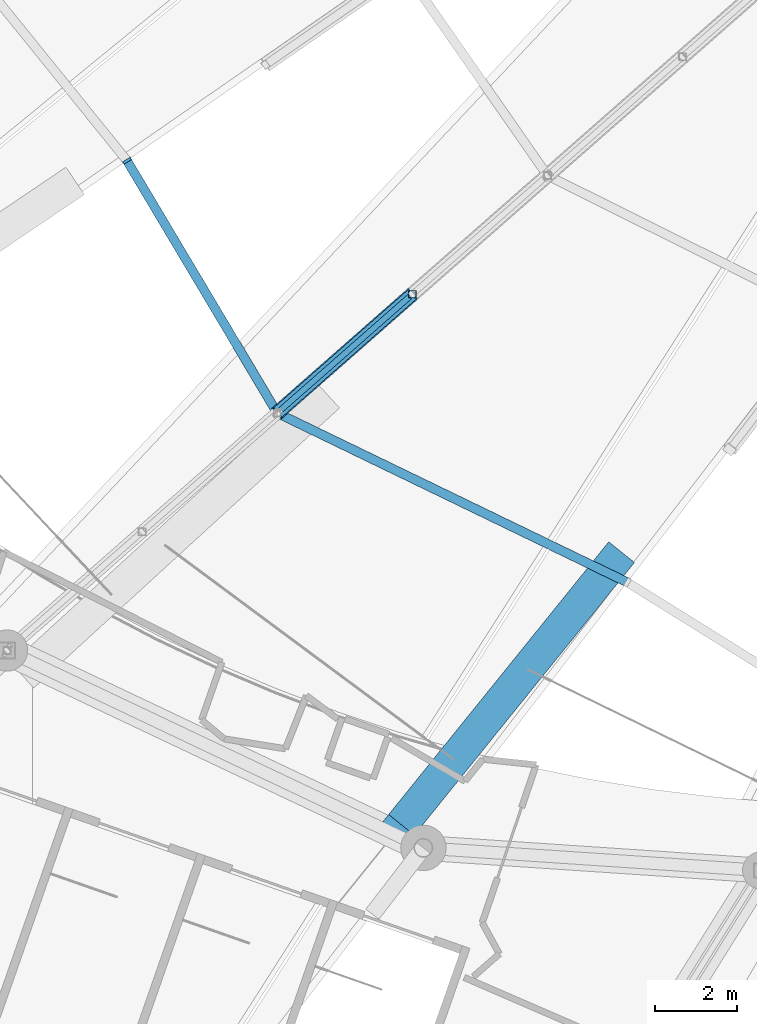
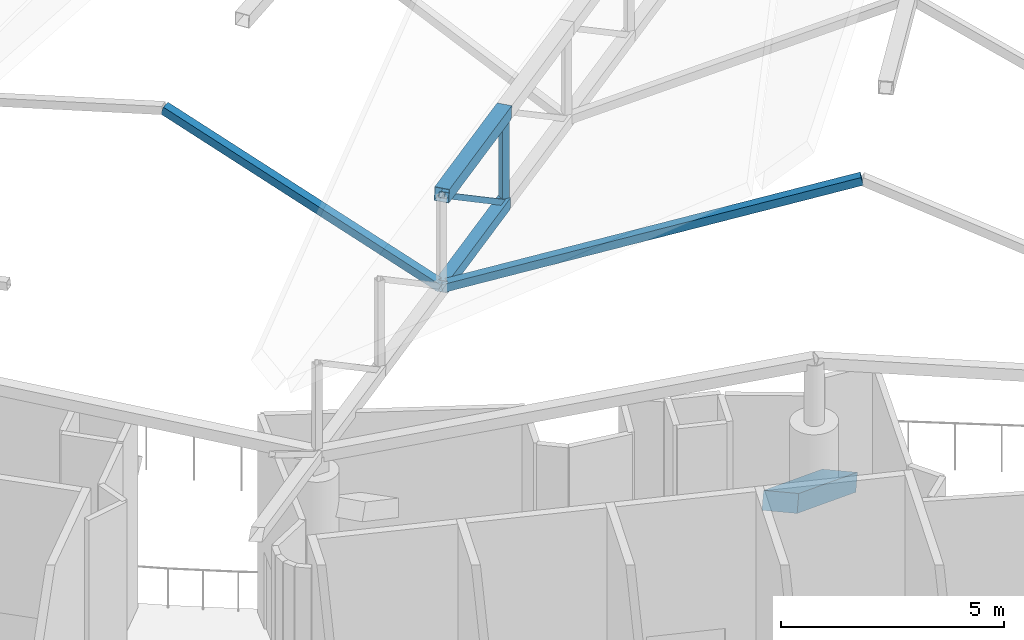
# One storey, part 10 of 344: 6 members, 1 beam.
"""IFC4 building model written with IfcOpenShell, lengths in metres."""

from ifc_helpers import new_model, si_unit, direction, frame, origin, origin_2d, place, context, subcontext, project, spatial, rectangle, hollow_rectangle, extrude, material, material_profile, profile_set, type_object, element, save


model = new_model("IFC4")

# Units and contexts
model_context = context("Model", 3, precision=1e-05, world=origin(), true_north=direction((0.0, 1.0)))
body_context = subcontext(model_context, "Body", "Model", "MODEL_VIEW")
ifc_project = project(units=[si_unit("LENGTHUNIT", "METRE"), si_unit("AREAUNIT", "SQUARE_METRE"), si_unit("VOLUMEUNIT", "CUBIC_METRE"), si_unit("PLANEANGLEUNIT", "RADIAN"), si_unit("MASSUNIT", "GRAM", prefix="KILO")], contexts=[model_context])

# Site, building, storey
site_placement = place(None, origin())
site = spatial("IfcSite", under=ifc_project, at=site_placement, CompositionType="ELEMENT")
building_placement = place(site_placement, origin())
building = spatial("IfcBuilding", under=site, at=building_placement, Name="Meseta Stadium", CompositionType="ELEMENT")
storey_placement = place(building_placement, frame((0.0, 0.0, 24.0)))
storey = spatial("IfcBuildingStorey", under=building, at=storey_placement, Name="L04", CompositionType="ELEMENT", Elevation=24.0)

# Beam
ifc_material_1 = material(Name="Concrete C40/50", Category="concrete")
ifc_material_profile_1 = material_profile(ifc_material_1, rectangle(XDim=0.800048828125, YDim=0.449951171875, at=origin_2d()), Name="RC 800x450")
ifc_profile_set_1 = profile_set([ifc_material_profile_1], Name="Concrete C40/50")
beam_type = type_object("IfcBeamType", Name="RC raker upper rear 800x450", PredefinedType="USERDEFINED", material=ifc_profile_set_1)
beam_placement = place(storey_placement, frame((-49.791015625, -82.498779296875, -1.587646484375), z_axis=(-0.533000219927, -0.660412282013, 0.528929469139), x_axis=(0.778177101926, -0.628044901292, 0.0)))
element("IfcBeam", 1, at=beam_placement, inside=storey, type_object=beam_type, Name="Raker upper rear frame 42 upper tier", ObjectType="RAKER", PredefinedType="USERDEFINED", context=body_context, shape_type="SweptSolid", body=[
    extrude(rectangle(XDim=0.800048828125, YDim=0.449951171875, at=origin_2d()), origin(), (0.0, 0.0, 1.0), 10.015625),
])

# Members
ifc_material_2 = material(Name="Steel S355", Category="steel")
ifc_material_profile_2 = material_profile(ifc_material_2, hollow_rectangle(XDim=0.139892578125, YDim=0.139892578125, WallThickness=0.0048828125, at=origin_2d()), Name="SHS 140x140x5")
ifc_profile_set_2 = profile_set([ifc_material_profile_2], Name="Steel S355")
member_type_1 = type_object("IfcMemberType", Name="SHS 140x140x5 diagonal", PredefinedType="BRACE", material=ifc_profile_set_2)
member_1_placement = place(storey_placement, frame((-54.791259765625, -76.15234375, 3.924072265625), z_axis=(-0.612481902981, -0.538328789261, 0.578850613866), x_axis=(0.660174887179, -0.751111921312, 0.0)))
element("IfcMember", 2, at=member_1_placement, inside=storey, type_object=member_type_1, Name="ROOF TRUSS RT-41 diagonal", PredefinedType="BRACE", context=body_context, shape_type="SweptSolid", body=[
    extrude(hollow_rectangle(XDim=0.139892578125, YDim=0.139892578125, WallThickness=0.0048828125, at=origin_2d()), origin(), (0.0, 0.0, 1.0), 5.35009765625),
])
ifc_material_3 = material(Name="Steel S355", Category="steel")
ifc_material_profile_3 = material_profile(ifc_material_3, hollow_rectangle(XDim=0.179931640625, YDim=0.179931640625, WallThickness=0.00634765625, at=origin_2d()), Name="SHS 180x180x6.3")
ifc_profile_set_3 = profile_set([ifc_material_profile_3], Name="Steel S355")
member_type_2 = type_object("IfcMemberType", Name="SHS 180x180x6.3 post", PredefinedType="POST", material=ifc_profile_set_3)
member_2_placement = place(storey_placement, frame((-54.791259765625, -76.15234375, 3.924072265625), z_axis=(0.0, 0.0, 1.0), x_axis=(1.0, 0.0, 0.0)))
element("IfcMember", 3, at=member_2_placement, inside=storey, type_object=member_type_2, Name="ROOF TRUSS RT-41 post", PredefinedType="POST", context=body_context, shape_type="SweptSolid", body=[
    extrude(hollow_rectangle(XDim=0.179931640625, YDim=0.179931640625, WallThickness=0.00634765625, at=origin_2d()), origin(), (0.0, 0.0, 1.0), 2.49365234375),
])
ifc_material_4 = material(Name="Steel S355", Category="steel")
ifc_material_profile_4 = material_profile(ifc_material_4, hollow_rectangle(XDim=0.219970703125, YDim=0.219970703125, WallThickness=0.008056640625, at=origin_2d()), Name="SHS 220x220x8")
ifc_profile_set_4 = profile_set([ifc_material_profile_4], Name="Steel S355")
member_type_3 = type_object("IfcMemberType", Name="SHS 220x220x8 strut", PredefinedType="STRUT", material=ifc_profile_set_4)
member_3_placement = place(storey_placement, frame((-61.710205078125, -72.913818359375, 6.962158203125), z_axis=(0.483975482906, -0.81307102511, -0.323547894558), x_axis=(0.859290731623, 0.511487476432, 0.0)))
element("IfcMember", 4, at=member_3_placement, inside=storey, type_object=member_type_3, Name="ROOF TRUSS STRUT RT-40/41", PredefinedType="STRUT", context=body_context, shape_type="SweptSolid", body=[
    extrude(hollow_rectangle(XDim=0.219970703125, YDim=0.219970703125, WallThickness=0.008056640625, at=origin_2d()), origin(), (0.0, 0.0, 1.0), 7.525390625),
])
member_4_placement = place(storey_placement, frame((-58.068115234375, -79.032470703125, 4.52734375), z_axis=(0.871165468885, -0.421362077289, 0.252041118958), x_axis=(0.435418912506, 0.900227954816, 0.0)))
element("IfcMember", 5, at=member_4_placement, inside=storey, type_object=member_type_3, Name="ROOF TRUSS STRUT RT-41/42", PredefinedType="STRUT", context=body_context, shape_type="SweptSolid", body=[
    extrude(hollow_rectangle(XDim=0.219970703125, YDim=0.219970703125, WallThickness=0.008056640625, at=origin_2d()), origin(), (0.0, 0.0, 1.0), 9.75146484375),
])
ifc_material_5 = material(Name="Steel S355", Category="steel")
ifc_material_profile_5 = material_profile(ifc_material_5, hollow_rectangle(XDim=0.300048828125, YDim=0.300048828125, WallThickness=0.010009765625, at=origin_2d()), Name="SHS 300x300x10")
ifc_profile_set_5 = profile_set([ifc_material_profile_5], Name="Steel S355")
member_type_4 = type_object("IfcMemberType", Name="SHS 300x300x10 bottom chord", PredefinedType="CHORD", material=ifc_profile_set_5)
member_5_placement = place(storey_placement, frame((-54.791259765625, -76.15234375, 3.924072265625), z_axis=(-0.744032126483, -0.653952242298, 0.136976857736), x_axis=(0.660174887179, -0.751111921312, 0.0)))
element("IfcMember", 6, at=member_5_placement, inside=storey, type_object=member_type_4, Name="ROOF TRUSS RT-41 bottom chord", PredefinedType="CHORD", context=body_context, shape_type="SweptSolid", body=[
    extrude(hollow_rectangle(XDim=0.300048828125, YDim=0.300048828125, WallThickness=0.010009765625, at=origin_2d()), origin(), (0.0, 0.0, 1.0), 4.404296875),
])
ifc_material_6 = material(Name="Steel S355", Category="steel")
ifc_material_profile_6 = material_profile(ifc_material_6, hollow_rectangle(XDim=0.35009765625, YDim=0.35009765625, WallThickness=0.010009765625, at=origin_2d()), Name="SHS 350x350x10")
ifc_profile_set_6 = profile_set([ifc_material_profile_6], Name="Steel S355")
member_type_5 = type_object("IfcMemberType", Name="SHS 350x350x10 top chord", PredefinedType="CHORD", material=ifc_profile_set_6)
member_6_placement = place(storey_placement, frame((-54.791259765625, -76.15234375, 6.417724609375), z_axis=(-0.744032126483, -0.653952242298, 0.136976857736), x_axis=(0.660174887179, -0.751111921312, 0.0)))
element("IfcMember", 7, at=member_6_placement, inside=storey, type_object=member_type_5, Name="ROOF TRUSS RT-41 top chord", PredefinedType="CHORD", context=body_context, shape_type="SweptSolid", body=[
    extrude(hollow_rectangle(XDim=0.35009765625, YDim=0.35009765625, WallThickness=0.010009765625, at=origin_2d()), origin(), (0.0, 0.0, 1.0), 4.404296875),
])

save(model, "model.ifc")
